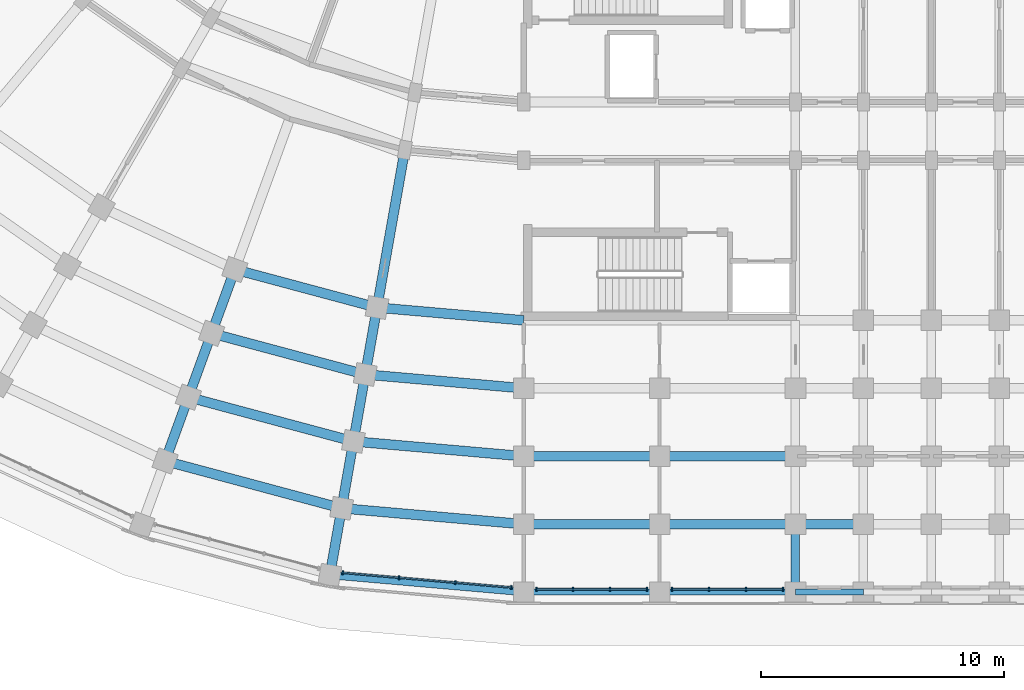
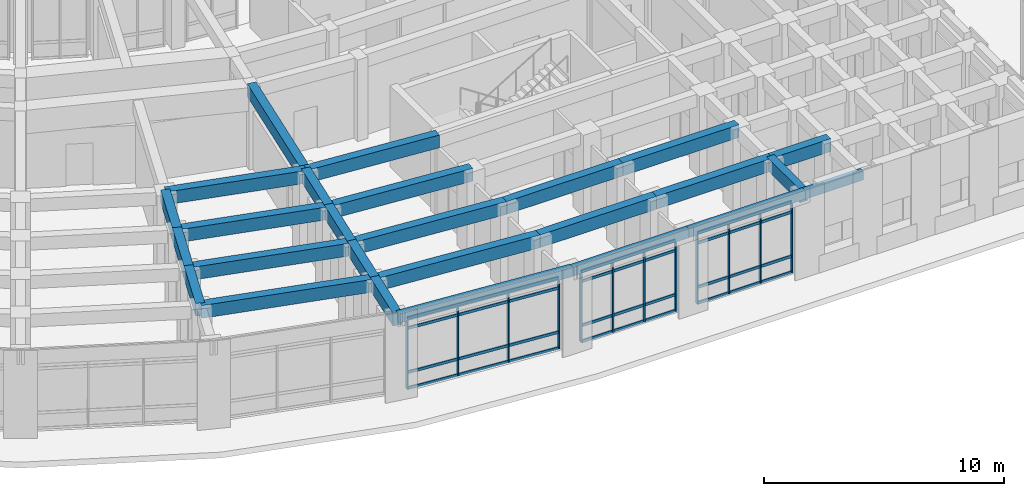
# One storey, part 16 of 135: 26 beams, 24 members, 3 elements without a shape of their own.
"""IFC4 building model written with IfcOpenShell, lengths in metres."""

from ifc_helpers import new_model, si_unit, direction, frame, origin, origin_2d, place, context, subcontext, project, spatial, rectangle, extrude, material, material_profile, profile_set, type_object, element, aggregate, save


model = new_model("IFC4")

# Units and contexts
model_context = context("Model", 3, precision=1e-05, world=origin(), true_north=direction((0.0, 1.0)))
body_context = subcontext(model_context, "Body", "Model", "MODEL_VIEW")
ifc_project = project(units=[si_unit("LENGTHUNIT", "METRE"), si_unit("AREAUNIT", "SQUARE_METRE"), si_unit("VOLUMEUNIT", "CUBIC_METRE"), si_unit("PLANEANGLEUNIT", "RADIAN"), si_unit("MASSUNIT", "GRAM", prefix="KILO")], contexts=[model_context])

# Site, building, storey
site_placement = place(None, origin())
site = spatial("IfcSite", under=ifc_project, at=site_placement, CompositionType="ELEMENT")
building_placement = place(site_placement, origin())
building = spatial("IfcBuilding", under=site, at=building_placement, Name="Kiranvali Square Residences", CompositionType="ELEMENT")
storey_placement = place(building_placement, origin())
storey = spatial("IfcBuildingStorey", under=building, at=storey_placement, Name="L00", CompositionType="ELEMENT", Elevation=0.0)

# Beams
ifc_material_1 = material(Name="Concrete M40 (40 MPa)", Category="concrete")
ifc_material_profile_1 = material_profile(ifc_material_1, rectangle(XDim=0.35009765625, YDim=0.64990234375, at=origin_2d()), Name="RC 350x650")
ifc_profile_set_1 = profile_set([ifc_material_profile_1], Name="Concrete M40 (40 MPa)")
beam_type_1 = type_object("IfcBeamType", Name="BM-M40-350x650", PredefinedType="BEAM", material=ifc_profile_set_1)
beam_1_placement = place(storey_placement, frame((59.39990234375, 5.0, 3.824951171875), z_axis=(0.0, -1.0, 0.0), x_axis=(1.0, 0.0, 0.0)))
element("IfcBeam", 1, at=beam_1_placement, inside=storey, type_object=beam_type_1, Name="L00 beam BM-C-L00-A1T1-67", PredefinedType="BEAM", context=body_context, shape_type="SweptSolid", body=[
    extrude(rectangle(XDim=0.35009765625, YDim=0.64990234375, at=origin_2d()), origin(), (0.0, 0.0, 1.0), 2.800048828125),
])
ifc_material_2 = material(Name="Concrete M45 (45 MPa)", Category="concrete")
ifc_material_profile_2 = material_profile(ifc_material_2, rectangle(XDim=0.39990234375, YDim=0.64990234375, at=origin_2d()), Name="RC 400x650")
ifc_profile_set_2 = profile_set([ifc_material_profile_2], Name="Concrete M45 (45 MPa)")
beam_type_2 = type_object("IfcBeamType", Name="BM-M45-400x650", PredefinedType="BEAM", material=ifc_profile_set_2)
beam_2_placement = place(storey_placement, frame((48.199951171875, 13.39990234375, 3.824951171875), z_axis=(-0.996193018494, 0.087174938512, 0.0), x_axis=(-0.087174938512, -0.996193018494, 0.0)))
element("IfcBeam", 2, at=beam_2_placement, inside=storey, type_object=beam_type_2, Name="L00 beam BM-C-L00-C00-R3", PredefinedType="BEAM", context=body_context, shape_type="SweptSolid", body=[
    extrude(rectangle(XDim=0.39990234375, YDim=0.64990234375, at=origin_2d()), origin(), (0.0, 0.0, 1.0), 6.066162109375),
])
beam_3_placement = place(storey_placement, frame((48.199951171875, 10.60009765625, 3.824951171875), z_axis=(-0.996196991902, 0.0871295204, 0.0), x_axis=(-0.0871295204, -0.996196991902, 0.0)))
element("IfcBeam", 3, at=beam_3_placement, inside=storey, type_object=beam_type_2, Name="L00 beam BM-C-L00-C00-R4", PredefinedType="BEAM", context=body_context, shape_type="SweptSolid", body=[
    extrude(rectangle(XDim=0.39990234375, YDim=0.64990234375, at=origin_2d()), origin(), (0.0, 0.0, 1.0), 6.553955078125),
])
beam_4_placement = place(storey_placement, frame((48.199951171875, 7.800048828125, 3.824951171875), z_axis=(-0.996194658198, 0.087156198737, 0.0), x_axis=(-0.087156198737, -0.996194658198, 0.0)))
element("IfcBeam", 4, at=beam_4_placement, inside=storey, type_object=beam_type_2, Name="L00 beam BM-C-L00-C00-R5", PredefinedType="BEAM", context=body_context, shape_type="SweptSolid", body=[
    extrude(rectangle(XDim=0.39990234375, YDim=0.64990234375, at=origin_2d()), origin(), (0.0, 0.0, 1.0), 7.042236328125),
])
beam_5_placement = place(storey_placement, frame((48.199951171875, 5.0, 3.824951171875), z_axis=(-0.996195195417, 0.087150058103, 0.0), x_axis=(-0.087150058103, -0.996195195417, 0.0)))
element("IfcBeam", 5, at=beam_5_placement, inside=storey, type_object=beam_type_2, Name="L00 beam BM-C-L00-C00-R6", PredefinedType="BEAM", context=body_context, shape_type="SweptSolid", body=[
    extrude(rectangle(XDim=0.39990234375, YDim=0.64990234375, at=origin_2d()), origin(), (0.0, 0.0, 1.0), 7.530029296875),
])
beam_6_placement = place(storey_placement, frame((42.156982421875, 13.9287109375, 3.824951171875), z_axis=(-0.965923618901, 0.258827283048, 0.0), x_axis=(-0.258827283048, -0.965923618901, 0.0)))
element("IfcBeam", 6, at=beam_6_placement, inside=storey, type_object=beam_type_2, Name="L00 beam BM-C-L00-C01-R3", PredefinedType="BEAM", context=body_context, shape_type="SweptSolid", body=[
    extrude(rectangle(XDim=0.39990234375, YDim=0.64990234375, at=origin_2d()), origin(), (0.0, 0.0, 1.0), 6.066162109375),
])
beam_7_placement = place(storey_placement, frame((41.6708984375, 11.171142578125, 3.824951171875), z_axis=(-0.965918287583, 0.258847178297, 0.0), x_axis=(-0.258847178297, -0.965918287583, 0.0)))
element("IfcBeam", 7, at=beam_7_placement, inside=storey, type_object=beam_type_2, Name="L00 beam BM-C-L00-C01-R4", PredefinedType="BEAM", context=body_context, shape_type="SweptSolid", body=[
    extrude(rectangle(XDim=0.39990234375, YDim=0.64990234375, at=origin_2d()), origin(), (0.0, 0.0, 1.0), 6.55419921875),
])
beam_8_placement = place(storey_placement, frame((41.1845703125, 8.413818359375, 3.824951171875), z_axis=(-0.965931029817, 0.258799624492, 0.0), x_axis=(-0.258799624492, -0.965931029817, 0.0)))
element("IfcBeam", 8, at=beam_8_placement, inside=storey, type_object=beam_type_2, Name="L00 beam BM-C-L00-C01-R5", PredefinedType="BEAM", context=body_context, shape_type="SweptSolid", body=[
    extrude(rectangle(XDim=0.39990234375, YDim=0.64990234375, at=origin_2d()), origin(), (0.0, 0.0, 1.0), 7.042236328125),
])
beam_9_placement = place(storey_placement, frame((40.698486328125, 5.65625, 3.824951171875), z_axis=(-0.965925909693, 0.258818733833, 0.0), x_axis=(-0.258818733833, -0.965925909693, 0.0)))
element("IfcBeam", 9, at=beam_9_placement, inside=storey, type_object=beam_type_2, Name="L00 beam BM-C-L00-C01-R6", PredefinedType="BEAM", context=body_context, shape_type="SweptSolid", body=[
    extrude(rectangle(XDim=0.39990234375, YDim=0.64990234375, at=origin_2d()), origin(), (0.0, 0.0, 1.0), 7.5302734375),
])
beam_10_placement = place(storey_placement, frame((43.30322265625, 20.428466796875, 3.824951171875), z_axis=(-0.173671381499, -0.984803661269, 0.0), x_axis=(0.984803661269, -0.173671381499, 0.0)))
element("IfcBeam", 10, at=beam_10_placement, inside=storey, type_object=beam_type_2, Name="L00 beam BM-C-L00-RAD01-23", PredefinedType="BEAM", context=body_context, shape_type="SweptSolid", body=[
    extrude(rectangle(XDim=0.39990234375, YDim=0.64990234375, at=origin_2d()), origin(), (0.0, 0.0, 1.0), 6.60009765625),
])
beam_11_placement = place(storey_placement, frame((42.156982421875, 13.9287109375, 3.824951171875), z_axis=(-0.173596320392, -0.984816895441, 0.0), x_axis=(0.984816895441, -0.173596320392, 0.0)))
element("IfcBeam", 11, at=beam_11_placement, inside=storey, type_object=beam_type_2, Name="L00 beam BM-C-L00-RAD01-34", PredefinedType="BEAM", context=body_context, shape_type="SweptSolid", body=[
    extrude(rectangle(XDim=0.39990234375, YDim=0.64990234375, at=origin_2d()), origin(), (0.0, 0.0, 1.0), 2.800048828125),
])
beam_12_placement = place(storey_placement, frame((41.6708984375, 11.171142578125, 3.824951171875), z_axis=(-0.173695795656, -0.984799355489, 0.0), x_axis=(0.984799355489, -0.173695795656, 0.0)))
element("IfcBeam", 12, at=beam_12_placement, inside=storey, type_object=beam_type_2, Name="L00 beam BM-C-L00-RAD01-45", PredefinedType="BEAM", context=body_context, shape_type="SweptSolid", body=[
    extrude(rectangle(XDim=0.39990234375, YDim=0.64990234375, at=origin_2d()), origin(), (0.0, 0.0, 1.0), 2.7998046875),
])
beam_13_placement = place(storey_placement, frame((41.1845703125, 8.413818359375, 3.824951171875), z_axis=(-0.173596320392, -0.984816895441, 0.0), x_axis=(0.984816895441, -0.173596320392, 0.0)))
element("IfcBeam", 13, at=beam_13_placement, inside=storey, type_object=beam_type_2, Name="L00 beam BM-C-L00-RAD01-56", PredefinedType="BEAM", context=body_context, shape_type="SweptSolid", body=[
    extrude(rectangle(XDim=0.39990234375, YDim=0.64990234375, at=origin_2d()), origin(), (0.0, 0.0, 1.0), 2.800048828125),
])
for number, where, z_axis, x_axis, name in (
    (14, (40.698486328125, 5.65625, 3.824951171875), (-0.173695795656, -0.984799355489, 0.0), (0.984799355489, -0.173695795656, 0.0), "L00 beam BM-C-L00-RAD01-67"),
    (15, (36.297607421875, 15.498779296875, 3.824951171875), (-0.341981089711, -0.93970683422, 0.0), (0.93970683422, -0.341981089711, 0.0), "L00 beam BM-C-L00-RAD02-34"),
):
    element("IfcBeam", number, at=place(storey_placement, frame(where, z_axis=z_axis, x_axis=x_axis)), inside=storey, type_object=beam_type_2, Name=name, PredefinedType="BEAM", context=body_context, shape_type="SweptSolid", body=[
        extrude(rectangle(XDim=0.39990234375, YDim=0.64990234375, at=origin_2d()), origin(), (0.0, 0.0, 1.0), 2.7998046875),
    ])
beam_14_placement = place(storey_placement, frame((35.340087890625, 12.86767578125, 3.824951171875), z_axis=(-0.342030060398, -0.939689011208, 0.0), x_axis=(0.939689011208, -0.342030060398, 0.0)))
element("IfcBeam", 16, at=beam_14_placement, inside=storey, type_object=beam_type_2, Name="L00 beam BM-C-L00-RAD02-45", PredefinedType="BEAM", context=body_context, shape_type="SweptSolid", body=[
    extrude(rectangle(XDim=0.39990234375, YDim=0.64990234375, at=origin_2d()), origin(), (0.0, 0.0, 1.0), 2.80029296875),
])
beam_15_placement = place(storey_placement, frame((34.38232421875, 10.236328125, 3.824951171875), z_axis=(-0.341981089711, -0.93970683422, 0.0), x_axis=(0.93970683422, -0.341981089711, 0.0)))
element("IfcBeam", 17, at=beam_15_placement, inside=storey, type_object=beam_type_2, Name="L00 beam BM-C-L00-RAD02-56", PredefinedType="BEAM", context=body_context, shape_type="SweptSolid", body=[
    extrude(rectangle(XDim=0.39990234375, YDim=0.64990234375, at=origin_2d()), origin(), (0.0, 0.0, 1.0), 2.7998046875),
])
beam_16_placement = place(storey_placement, frame((48.199951171875, 7.800048828125, 3.824951171875), z_axis=(1.0, 0.0, 0.0), x_axis=(0.0, 1.0, 0.0)))
element("IfcBeam", 18, at=beam_16_placement, inside=storey, type_object=beam_type_2, Name="L00 beam BM-C-L00-A1U0-R5", PredefinedType="BEAM", context=body_context, shape_type="SweptSolid", body=[
    extrude(rectangle(XDim=0.39990234375, YDim=0.64990234375, at=origin_2d()), origin(), (0.0, 0.0, 1.0), 5.60009765625),
])
beam_17_placement = place(storey_placement, frame((53.800048828125, 7.800048828125, 3.824951171875), z_axis=(1.0, 0.0, 0.0), x_axis=(0.0, 1.0, 0.0)))
element("IfcBeam", 19, at=beam_17_placement, inside=storey, type_object=beam_type_2, Name="L00 beam BM-C-L00-A1U1-R5", PredefinedType="BEAM", context=body_context, shape_type="SweptSolid", body=[
    extrude(rectangle(XDim=0.39990234375, YDim=0.64990234375, at=origin_2d()), origin(), (0.0, 0.0, 1.0), 5.599853515625),
])
beam_18_placement = place(storey_placement, frame((48.199951171875, 5.0, 3.824951171875), z_axis=(1.0, 0.0, 0.0), x_axis=(0.0, 1.0, 0.0)))
element("IfcBeam", 20, at=beam_18_placement, inside=storey, type_object=beam_type_2, Name="L00 beam BM-C-L00-A1U0-R6", PredefinedType="BEAM", context=body_context, shape_type="SweptSolid", body=[
    extrude(rectangle(XDim=0.39990234375, YDim=0.64990234375, at=origin_2d()), origin(), (0.0, 0.0, 1.0), 5.60009765625),
])
beam_19_placement = place(storey_placement, frame((53.800048828125, 5.0, 3.824951171875), z_axis=(1.0, 0.0, 0.0), x_axis=(0.0, 1.0, 0.0)))
element("IfcBeam", 21, at=beam_19_placement, inside=storey, type_object=beam_type_2, Name="L00 beam BM-C-L00-A1U1-R6", PredefinedType="BEAM", context=body_context, shape_type="SweptSolid", body=[
    extrude(rectangle(XDim=0.39990234375, YDim=0.64990234375, at=origin_2d()), origin(), (0.0, 0.0, 1.0), 5.599853515625),
])
beam_20_placement = place(storey_placement, frame((59.39990234375, 5.0, 3.824951171875), z_axis=(1.0, 0.0, 0.0), x_axis=(0.0, 1.0, 0.0)))
element("IfcBeam", 22, at=beam_20_placement, inside=storey, type_object=beam_type_2, Name="L00 beam BM-C-L00-A1U2-R6", PredefinedType="BEAM", context=body_context, shape_type="SweptSolid", body=[
    extrude(rectangle(XDim=0.39990234375, YDim=0.64990234375, at=origin_2d()), origin(), (0.0, 0.0, 1.0), 2.800048828125),
])

# Curtain wall, members
ifc_material_3 = material(Name="Anodised bronze aluminium framing", Category="aluminium")
curtain_wall_type = type_object("IfcCurtainWallType", Name="CW-RET-SHOP", PredefinedType="USERDEFINED", material=ifc_material_3)
curtain_wall_1_placement = place(storey_placement, origin())
curtain_wall_1 = element("IfcCurtainWall", 23, at=curtain_wall_1_placement, inside=storey, type_object=curtain_wall_type, Name="Block C L00 rounded-corner arcade curtain wall 1", ObjectType="CURTAIN WALL", PredefinedType="USERDEFINED")
ifc_material_profile_3 = material_profile(ifc_material_3, rectangle(XDim=0.06494140625, YDim=0.159912109375, at=origin_2d()), Name="ALU 65x160")
ifc_profile_set_3 = profile_set([ifc_material_profile_3], Name="Anodised bronze aluminium framing")
member_type_1 = type_object("IfcMemberType", Name="CW-MUL-160", PredefinedType="MULLION", material=ifc_profile_set_3)
member_1_placement = place(storey_placement, frame((47.695068359375, 2.394775390625, 0.02001953125), z_axis=(0.0, 0.0, 1.0), x_axis=(-0.996194698092, 0.087155742748, 0.0)))
member_1 = element("IfcMember", 24, at=member_1_placement, type_object=member_type_1, Name="CW-C-L00-CRV-00 vertical mullion 1", PredefinedType="MULLION", context=body_context, shape_type="SweptSolid", body=[
    extrude(rectangle(XDim=0.06494140625, YDim=0.159912109375, at=origin_2d()), origin(), (0.0, 0.0, 1.0), 3.60986328125),
])
member_2_placement = place(storey_placement, frame((45.377685546875, 2.597412109375, 0.02001953125), z_axis=(0.0, 0.0, 1.0), x_axis=(-0.996194698092, 0.087155742748, 0.0)))
member_2 = element("IfcMember", 25, at=member_2_placement, type_object=member_type_1, Name="CW-C-L00-CRV-00 vertical mullion 2", PredefinedType="MULLION", context=body_context, shape_type="SweptSolid", body=[
    extrude(rectangle(XDim=0.06494140625, YDim=0.159912109375, at=origin_2d()), origin(), (0.0, 0.0, 1.0), 3.60986328125),
])
member_3_placement = place(storey_placement, frame((43.060546875, 2.80029296875, 0.02001953125), z_axis=(0.0, 0.0, 1.0), x_axis=(-0.996194698092, 0.087155742748, 0.0)))
member_3 = element("IfcMember", 26, at=member_3_placement, type_object=member_type_1, Name="CW-C-L00-CRV-00 vertical mullion 3", PredefinedType="MULLION", context=body_context, shape_type="SweptSolid", body=[
    extrude(rectangle(XDim=0.06494140625, YDim=0.159912109375, at=origin_2d()), origin(), (0.0, 0.0, 1.0), 3.60986328125),
])
member_4_placement = place(storey_placement, frame((40.7431640625, 3.0029296875, 0.02001953125), z_axis=(0.0, 0.0, 1.0), x_axis=(-0.996194698092, 0.087155742748, 0.0)))
member_4 = element("IfcMember", 27, at=member_4_placement, type_object=member_type_1, Name="CW-C-L00-CRV-00 vertical mullion 4", PredefinedType="MULLION", context=body_context, shape_type="SweptSolid", body=[
    extrude(rectangle(XDim=0.06494140625, YDim=0.159912109375, at=origin_2d()), origin(), (0.0, 0.0, 1.0), 3.60986328125),
])

curtain_wall_2_placement = place(storey_placement, origin())
curtain_wall_2 = element("IfcCurtainWall", 28, at=curtain_wall_2_placement, inside=storey, type_object=curtain_wall_type, Name="L00 curtain wall CW-C-L00-A1-0", ObjectType="CURTAIN WALL", PredefinedType="USERDEFINED")
member_5_placement = place(storey_placement, frame((48.719970703125, 2.320068359375, 0.02001953125), z_axis=(0.0, 0.0, 1.0), x_axis=(1.0, 0.0, 0.0)))
member_5 = element("IfcMember", 29, at=member_5_placement, type_object=member_type_1, Name="CW-C-L00-A1-0 vertical mullion 1", PredefinedType="MULLION", context=body_context, shape_type="SweptSolid", body=[
    extrude(rectangle(XDim=0.06494140625, YDim=0.159912109375, at=origin_2d()), origin(), (0.0, 0.0, 1.0), 3.60986328125),
])
member_6_placement = place(storey_placement, frame((50.239990234375, 2.320068359375, 0.02001953125), z_axis=(0.0, 0.0, 1.0), x_axis=(1.0, 0.0, 0.0)))
member_6 = element("IfcMember", 30, at=member_6_placement, type_object=member_type_1, Name="CW-C-L00-A1-0 vertical mullion 2", PredefinedType="MULLION", context=body_context, shape_type="SweptSolid", body=[
    extrude(rectangle(XDim=0.06494140625, YDim=0.159912109375, at=origin_2d()), origin(), (0.0, 0.0, 1.0), 3.60986328125),
])
member_7_placement = place(storey_placement, frame((51.760009765625, 2.320068359375, 0.02001953125), z_axis=(0.0, 0.0, 1.0), x_axis=(1.0, 0.0, 0.0)))
member_7 = element("IfcMember", 31, at=member_7_placement, type_object=member_type_1, Name="CW-C-L00-A1-0 vertical mullion 3", PredefinedType="MULLION", context=body_context, shape_type="SweptSolid", body=[
    extrude(rectangle(XDim=0.06494140625, YDim=0.159912109375, at=origin_2d()), origin(), (0.0, 0.0, 1.0), 3.60986328125),
])
member_8_placement = place(storey_placement, frame((53.280029296875, 2.320068359375, 0.02001953125), z_axis=(0.0, 0.0, 1.0), x_axis=(1.0, 0.0, 0.0)))
member_8 = element("IfcMember", 32, at=member_8_placement, type_object=member_type_1, Name="CW-C-L00-A1-0 vertical mullion 4", PredefinedType="MULLION", context=body_context, shape_type="SweptSolid", body=[
    extrude(rectangle(XDim=0.06494140625, YDim=0.159912109375, at=origin_2d()), origin(), (0.0, 0.0, 1.0), 3.60986328125),
])

curtain_wall_3_placement = place(storey_placement, origin())
curtain_wall_3 = element("IfcCurtainWall", 33, at=curtain_wall_3_placement, inside=storey, type_object=curtain_wall_type, Name="L00 curtain wall CW-C-L00-A1-1", ObjectType="CURTAIN WALL", PredefinedType="USERDEFINED")
member_9_placement = place(storey_placement, frame((54.320068359375, 2.320068359375, 0.02001953125), z_axis=(0.0, 0.0, 1.0), x_axis=(1.0, 0.0, 0.0)))
member_9 = element("IfcMember", 34, at=member_9_placement, type_object=member_type_1, Name="CW-C-L00-A1-1 vertical mullion 1", PredefinedType="MULLION", context=body_context, shape_type="SweptSolid", body=[
    extrude(rectangle(XDim=0.06494140625, YDim=0.159912109375, at=origin_2d()), origin(), (0.0, 0.0, 1.0), 3.60986328125),
])
member_10_placement = place(storey_placement, frame((55.840087890625, 2.320068359375, 0.02001953125), z_axis=(0.0, 0.0, 1.0), x_axis=(1.0, 0.0, 0.0)))
member_10 = element("IfcMember", 35, at=member_10_placement, type_object=member_type_1, Name="CW-C-L00-A1-1 vertical mullion 2", PredefinedType="MULLION", context=body_context, shape_type="SweptSolid", body=[
    extrude(rectangle(XDim=0.06494140625, YDim=0.159912109375, at=origin_2d()), origin(), (0.0, 0.0, 1.0), 3.60986328125),
])
member_11_placement = place(storey_placement, frame((57.360107421875, 2.320068359375, 0.02001953125), z_axis=(0.0, 0.0, 1.0), x_axis=(1.0, 0.0, 0.0)))
member_11 = element("IfcMember", 36, at=member_11_placement, type_object=member_type_1, Name="CW-C-L00-A1-1 vertical mullion 3", PredefinedType="MULLION", context=body_context, shape_type="SweptSolid", body=[
    extrude(rectangle(XDim=0.06494140625, YDim=0.159912109375, at=origin_2d()), origin(), (0.0, 0.0, 1.0), 3.60986328125),
])
member_12_placement = place(storey_placement, frame((58.8798828125, 2.320068359375, 0.02001953125), z_axis=(0.0, 0.0, 1.0), x_axis=(1.0, 0.0, 0.0)))
member_12 = element("IfcMember", 37, at=member_12_placement, type_object=member_type_1, Name="CW-C-L00-A1-1 vertical mullion 4", PredefinedType="MULLION", context=body_context, shape_type="SweptSolid", body=[
    extrude(rectangle(XDim=0.06494140625, YDim=0.159912109375, at=origin_2d()), origin(), (0.0, 0.0, 1.0), 3.60986328125),
])

# Member
ifc_material_profile_4 = material_profile(ifc_material_3, rectangle(XDim=0.06494140625, YDim=0.139892578125, at=origin_2d()), Name="ALU 65x140")
ifc_profile_set_4 = profile_set([ifc_material_profile_4], Name="Anodised bronze aluminium framing")
member_type_2 = type_object("IfcMemberType", Name="CW-TRN-140", PredefinedType="MULLION", material=ifc_profile_set_4)
member_13_placement = place(storey_placement, frame((47.68505859375, 2.3955078125, 0.0400390625), z_axis=(-0.996191851174, 0.087188277046, 0.0), x_axis=(-0.087188277046, -0.996191851174, 0.0)))
member_13 = element("IfcMember", 38, at=member_13_placement, type_object=member_type_2, Name="CW-C-L00-CRV-00 horizontal transom 1", PredefinedType="MULLION", context=body_context, shape_type="SweptSolid", body=[
    extrude(rectangle(XDim=0.06494140625, YDim=0.139892578125, at=origin_2d()), origin(), (0.0, 0.0, 1.0), 6.95849609375),
])

member_14_placement = place(storey_placement, frame((47.68505859375, 2.3955078125, 0.85009765625), z_axis=(-0.996191851174, 0.087188277046, 0.0), x_axis=(-0.087188277046, -0.996191851174, 0.0)))
member_14 = element("IfcMember", 39, at=member_14_placement, type_object=member_type_2, Name="CW-C-L00-CRV-00 horizontal transom 2", PredefinedType="MULLION", context=body_context, shape_type="SweptSolid", body=[
    extrude(rectangle(XDim=0.06494140625, YDim=0.139892578125, at=origin_2d()), origin(), (0.0, 0.0, 1.0), 6.95849609375),
])

member_15_placement = place(storey_placement, frame((47.68505859375, 2.3955078125, 3.10009765625), z_axis=(-0.996191851174, 0.087188277046, 0.0), x_axis=(-0.087188277046, -0.996191851174, 0.0)))
member_15 = element("IfcMember", 40, at=member_15_placement, type_object=member_type_2, Name="CW-C-L00-CRV-00 horizontal transom 3", PredefinedType="MULLION", context=body_context, shape_type="SweptSolid", body=[
    extrude(rectangle(XDim=0.06494140625, YDim=0.139892578125, at=origin_2d()), origin(), (0.0, 0.0, 1.0), 6.95849609375),
])

member_16_placement = place(storey_placement, frame((47.68505859375, 2.3955078125, 3.610107421875), z_axis=(-0.996191851174, 0.087188277046, 0.0), x_axis=(-0.087188277046, -0.996191851174, 0.0)))
member_16 = element("IfcMember", 41, at=member_16_placement, type_object=member_type_2, Name="CW-C-L00-CRV-00 horizontal transom 4", PredefinedType="MULLION", context=body_context, shape_type="SweptSolid", body=[
    extrude(rectangle(XDim=0.06494140625, YDim=0.139892578125, at=origin_2d()), origin(), (0.0, 0.0, 1.0), 6.95849609375),
])

aggregate(curtain_wall_1, [member_1, member_2, member_3, member_4, member_13, member_14, member_15, member_16])

member_17_placement = place(storey_placement, frame((48.72998046875, 2.320068359375, 0.0400390625), z_axis=(1.0, 0.0, 0.0), x_axis=(0.0, 1.0, 0.0)))
member_17 = element("IfcMember", 42, at=member_17_placement, type_object=member_type_2, Name="CW-C-L00-A1-0 horizontal transom 1", PredefinedType="MULLION", context=body_context, shape_type="SweptSolid", body=[
    extrude(rectangle(XDim=0.06494140625, YDim=0.139892578125, at=origin_2d()), origin(), (0.0, 0.0, 1.0), 4.5400390625),
])

member_18_placement = place(storey_placement, frame((48.72998046875, 2.320068359375, 0.85009765625), z_axis=(1.0, 0.0, 0.0), x_axis=(0.0, 1.0, 0.0)))
member_18 = element("IfcMember", 43, at=member_18_placement, type_object=member_type_2, Name="CW-C-L00-A1-0 horizontal transom 2", PredefinedType="MULLION", context=body_context, shape_type="SweptSolid", body=[
    extrude(rectangle(XDim=0.06494140625, YDim=0.139892578125, at=origin_2d()), origin(), (0.0, 0.0, 1.0), 4.5400390625),
])

member_19_placement = place(storey_placement, frame((48.72998046875, 2.320068359375, 3.10009765625), z_axis=(1.0, 0.0, 0.0), x_axis=(0.0, 1.0, 0.0)))
member_19 = element("IfcMember", 44, at=member_19_placement, type_object=member_type_2, Name="CW-C-L00-A1-0 horizontal transom 3", PredefinedType="MULLION", context=body_context, shape_type="SweptSolid", body=[
    extrude(rectangle(XDim=0.06494140625, YDim=0.139892578125, at=origin_2d()), origin(), (0.0, 0.0, 1.0), 4.5400390625),
])

member_20_placement = place(storey_placement, frame((48.72998046875, 2.320068359375, 3.610107421875), z_axis=(1.0, 0.0, 0.0), x_axis=(0.0, 1.0, 0.0)))
member_20 = element("IfcMember", 45, at=member_20_placement, type_object=member_type_2, Name="CW-C-L00-A1-0 horizontal transom 4", PredefinedType="MULLION", context=body_context, shape_type="SweptSolid", body=[
    extrude(rectangle(XDim=0.06494140625, YDim=0.139892578125, at=origin_2d()), origin(), (0.0, 0.0, 1.0), 4.5400390625),
])

aggregate(curtain_wall_2, [member_5, member_6, member_7, member_8, member_17, member_18, member_19, member_20])

member_21_placement = place(storey_placement, frame((54.330078125, 2.320068359375, 0.0400390625), z_axis=(1.0, 0.0, 0.0), x_axis=(0.0, 1.0, 0.0)))
member_21 = element("IfcMember", 46, at=member_21_placement, type_object=member_type_2, Name="CW-C-L00-A1-1 horizontal transom 1", PredefinedType="MULLION", context=body_context, shape_type="SweptSolid", body=[
    extrude(rectangle(XDim=0.06494140625, YDim=0.139892578125, at=origin_2d()), origin(), (0.0, 0.0, 1.0), 4.5400390625),
])

member_22_placement = place(storey_placement, frame((54.330078125, 2.320068359375, 0.85009765625), z_axis=(1.0, 0.0, 0.0), x_axis=(0.0, 1.0, 0.0)))
member_22 = element("IfcMember", 47, at=member_22_placement, type_object=member_type_2, Name="CW-C-L00-A1-1 horizontal transom 2", PredefinedType="MULLION", context=body_context, shape_type="SweptSolid", body=[
    extrude(rectangle(XDim=0.06494140625, YDim=0.139892578125, at=origin_2d()), origin(), (0.0, 0.0, 1.0), 4.5400390625),
])

member_23_placement = place(storey_placement, frame((54.330078125, 2.320068359375, 3.10009765625), z_axis=(1.0, 0.0, 0.0), x_axis=(0.0, 1.0, 0.0)))
member_23 = element("IfcMember", 48, at=member_23_placement, type_object=member_type_2, Name="CW-C-L00-A1-1 horizontal transom 3", PredefinedType="MULLION", context=body_context, shape_type="SweptSolid", body=[
    extrude(rectangle(XDim=0.06494140625, YDim=0.139892578125, at=origin_2d()), origin(), (0.0, 0.0, 1.0), 4.5400390625),
])

member_24_placement = place(storey_placement, frame((54.330078125, 2.320068359375, 3.610107421875), z_axis=(1.0, 0.0, 0.0), x_axis=(0.0, 1.0, 0.0)))
member_24 = element("IfcMember", 49, at=member_24_placement, type_object=member_type_2, Name="CW-C-L00-A1-1 horizontal transom 4", PredefinedType="MULLION", context=body_context, shape_type="SweptSolid", body=[
    extrude(rectangle(XDim=0.06494140625, YDim=0.139892578125, at=origin_2d()), origin(), (0.0, 0.0, 1.0), 4.5400390625),
])

aggregate(curtain_wall_3, [member_9, member_10, member_11, member_12, member_21, member_22, member_23, member_24])

# Beams
ifc_material_profile_5 = material_profile(ifc_material_1, rectangle(XDim=0.25, YDim=0.449951171875, at=origin_2d()), Name="RC 250x450")
ifc_profile_set_5 = profile_set([ifc_material_profile_5], Name="Concrete M40 (40 MPa)")
beam_type_3 = type_object("IfcBeamType", Name="SPN-M40-250x450", PredefinedType="SPANDREL", material=ifc_profile_set_5)
beam_21_placement = place(storey_placement, frame((48.199951171875, 2.199951171875, 3.925048828125), z_axis=(1.0, 0.0, 0.0), x_axis=(0.0, 1.0, 0.0)))
element("IfcBeam", 50, at=beam_21_placement, inside=storey, type_object=beam_type_3, Name="L00 beam BM-C-L00-A1U0-R7", PredefinedType="SPANDREL", context=body_context, shape_type="SweptSolid", body=[
    extrude(rectangle(XDim=0.25, YDim=0.449951171875, at=origin_2d()), origin(), (0.0, 0.0, 1.0), 5.60009765625),
])
beam_22_placement = place(storey_placement, frame((53.800048828125, 2.199951171875, 3.925048828125), z_axis=(1.0, 0.0, 0.0), x_axis=(0.0, 1.0, 0.0)))
element("IfcBeam", 51, at=beam_22_placement, inside=storey, type_object=beam_type_3, Name="L00 beam BM-C-L00-A1U1-R7", PredefinedType="SPANDREL", context=body_context, shape_type="SweptSolid", body=[
    extrude(rectangle(XDim=0.25, YDim=0.449951171875, at=origin_2d()), origin(), (0.0, 0.0, 1.0), 5.599853515625),
])
beam_23_placement = place(storey_placement, frame((59.39990234375, 2.199951171875, 3.925048828125), z_axis=(1.0, 0.0, 0.0), x_axis=(0.0, 1.0, 0.0)))
element("IfcBeam", 52, at=beam_23_placement, inside=storey, type_object=beam_type_3, Name="L00 beam BM-C-L00-A1U2-R7", PredefinedType="SPANDREL", context=body_context, shape_type="SweptSolid", body=[
    extrude(rectangle(XDim=0.25, YDim=0.449951171875, at=origin_2d()), origin(), (0.0, 0.0, 1.0), 2.800048828125),
])
ifc_material_profile_6 = material_profile(ifc_material_1, rectangle(XDim=0.300048828125, YDim=0.449951171875, at=origin_2d()), Name="RC 300x450")
ifc_profile_set_6 = profile_set([ifc_material_profile_6], Name="Concrete M40 (40 MPa)")
beam_type_4 = type_object("IfcBeamType", Name="SPN-M40-300x450", PredefinedType="SPANDREL", material=ifc_profile_set_6)
beam_24_placement = place(storey_placement, frame((48.199951171875, 2.199951171875, 3.925048828125), z_axis=(-0.996193254792, 0.087172238171, 0.0), x_axis=(-0.087172238171, -0.996193254792, 0.0)))
element("IfcBeam", 53, at=beam_24_placement, inside=storey, type_object=beam_type_4, Name="L00 beam BM-C-L00-C00-R7", PredefinedType="SPANDREL", context=body_context, shape_type="SweptSolid", body=[
    extrude(rectangle(XDim=0.300048828125, YDim=0.449951171875, at=origin_2d()), origin(), (0.0, 0.0, 1.0), 8.018310546875),
])

save(model, "model.ifc")
